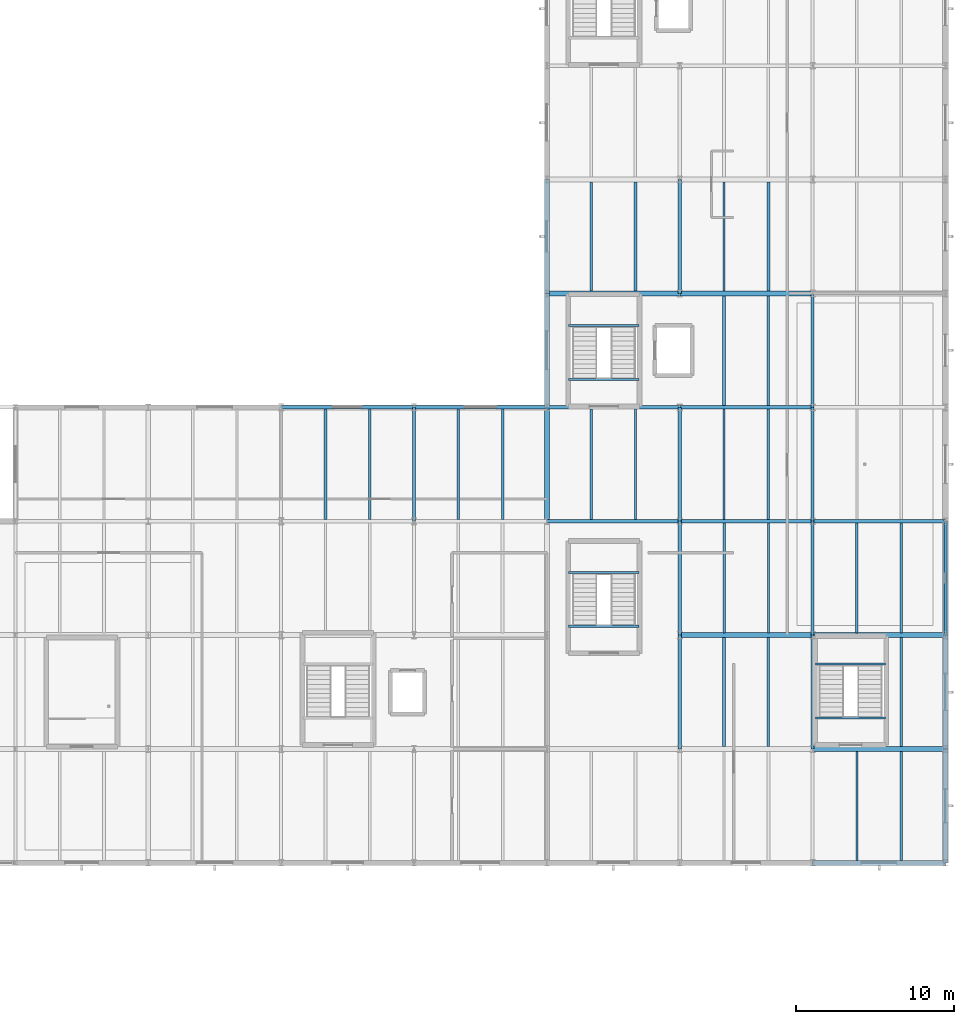
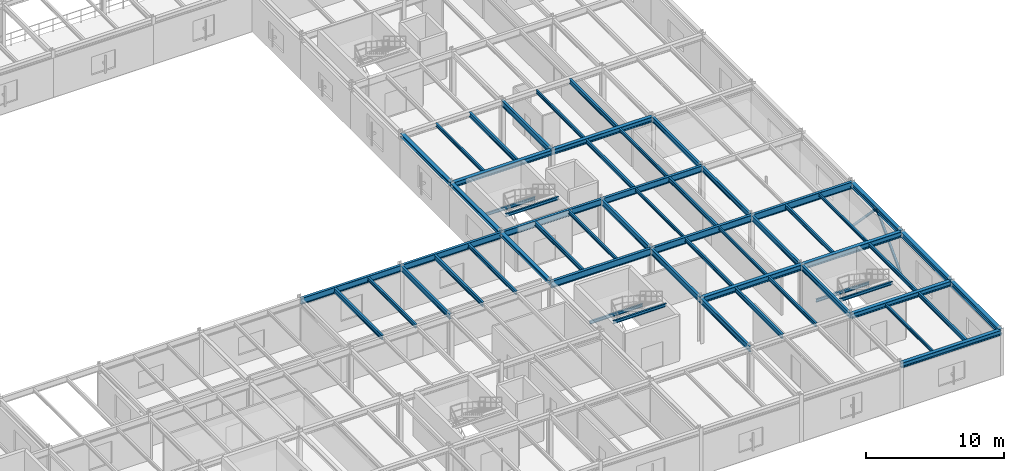
# One storey, part 42 of 109: 57 beams, 2 members.
"""IFC4 building model written with IfcOpenShell, lengths in metres."""

from ifc_helpers import new_model, si_unit, derived_unit, direction, frame, origin, origin_2d, place, context, subcontext, project, spatial, hollow_rectangle, i_section, extrude, material, material_profile, profile_set, type_object, element, save


model = new_model("IFC4")

# Units and contexts
model_context = context("Model", 3, precision=1e-05, world=origin(), true_north=direction((0.0, 1.0)))
body_context = subcontext(model_context, "Body", "Model", "MODEL_VIEW")
ifc_project = project(units=[si_unit("LENGTHUNIT", "METRE"), si_unit("AREAUNIT", "SQUARE_METRE"), si_unit("VOLUMEUNIT", "CUBIC_METRE"), si_unit("PLANEANGLEUNIT", "RADIAN"), si_unit("MASSUNIT", "GRAM", prefix="KILO"), derived_unit("THERMALTRANSMITTANCEUNIT", [(si_unit("MASSUNIT", "GRAM", prefix="KILO"), 1), (si_unit("TIMEUNIT", "SECOND"), -3), (si_unit("THERMODYNAMICTEMPERATUREUNIT", "KELVIN"), -1)])], contexts=[model_context])

# Site, building, storey
site_placement = place(None, origin())
site = spatial("IfcSite", under=ifc_project, at=site_placement, CompositionType="ELEMENT")
building_placement = place(site_placement, origin())
building = spatial("IfcBuilding", under=site, at=building_placement, Name="Kharveza Railside Sports Centre", CompositionType="ELEMENT")
storey_placement = place(building_placement, frame((0.0, 0.0, 4.5)))
storey = spatial("IfcBuildingStorey", under=building, at=storey_placement, Name="L01", CompositionType="ELEMENT", Elevation=4.5)

# Beams
ifc_material = material(Name="Steel S355J2", Category="steel")
ifc_material_profile_1 = material_profile(ifc_material, i_section(OverallWidth=0.219970703125, OverallDepth=0.60009765625, WebThickness=0.011962890625, FlangeThickness=0.01904296875, FilletRadius=0.02392578125, at=origin_2d()), Name="IPE 600")
ifc_profile_set_1 = profile_set([ifc_material_profile_1], Name="Steel S355J2")
beam_type_1 = type_object("IfcBeamType", Name="BM-G01", PredefinedType="T_BEAM", material=ifc_profile_set_1)
beam_1_placement = place(storey_placement, frame((142.800048828125, 28.800048828125, 3.699951171875), z_axis=(1.0, 0.0, 0.0), x_axis=(0.0, 1.0, 0.0)))
element("IfcBeam", 1, at=beam_1_placement, inside=storey, type_object=beam_type_1, Name="BM-EW-L01-B01-X1428-Y288", PredefinedType="T_BEAM", context=body_context, shape_type="SweptSolid", body=[
    extrude(i_section(OverallWidth=0.219970703125, OverallDepth=0.60009765625, WebThickness=0.011962890625, FlangeThickness=0.01904296875, FilletRadius=0.02392578125, at=origin_2d()), origin(), (0.0, 0.0, 1.0), 8.39990234375),
])
beam_2_placement = place(storey_placement, frame((151.199951171875, 28.800048828125, 3.699951171875), z_axis=(1.0, 0.0, 0.0), x_axis=(0.0, 1.0, 0.0)))
element("IfcBeam", 2, at=beam_2_placement, inside=storey, type_object=beam_type_1, Name="BM-EW-L01-B01-X1512-Y288", PredefinedType="T_BEAM", context=body_context, shape_type="SweptSolid", body=[
    extrude(i_section(OverallWidth=0.219970703125, OverallDepth=0.60009765625, WebThickness=0.011962890625, FlangeThickness=0.01904296875, FilletRadius=0.02392578125, at=origin_2d()), origin(), (0.0, 0.0, 1.0), 8.400146484375),
])
beam_3_placement = place(storey_placement, frame((159.60009765625, 28.800048828125, 3.699951171875), z_axis=(1.0, 0.0, 0.0), x_axis=(0.0, 1.0, 0.0)))
element("IfcBeam", 3, at=beam_3_placement, inside=storey, type_object=beam_type_1, Name="BM-EW-L01-B01-X1596-Y288", PredefinedType="T_BEAM", context=body_context, shape_type="SweptSolid", body=[
    extrude(i_section(OverallWidth=0.219970703125, OverallDepth=0.60009765625, WebThickness=0.011962890625, FlangeThickness=0.01904296875, FilletRadius=0.02392578125, at=origin_2d()), origin(), (0.0, 0.0, 1.0), 8.39990234375),
])
ifc_material_profile_2 = material_profile(ifc_material, i_section(OverallWidth=0.2099609375, OverallDepth=0.550048828125, WebThickness=0.010986328125, FlangeThickness=0.01708984375, FilletRadius=0.02392578125, at=origin_2d()), Name="IPE 550")
ifc_profile_set_2 = profile_set([ifc_material_profile_2], Name="Steel S355J2")
beam_type_2 = type_object("IfcBeamType", Name="BM-G02", PredefinedType="T_BEAM", material=ifc_profile_set_2)
beam_4_placement = place(storey_placement, frame((126.0, 36.0, 3.72509765625), z_axis=(1.0, 0.0, 0.0), x_axis=(0.0, 1.0, 0.0)))
element("IfcBeam", 4, at=beam_4_placement, inside=storey, type_object=beam_type_2, Name="BM-EW-L01-B02-X1260-Y360", PredefinedType="T_BEAM", context=body_context, shape_type="SweptSolid", body=[
    extrude(i_section(OverallWidth=0.2099609375, OverallDepth=0.550048828125, WebThickness=0.010986328125, FlangeThickness=0.01708984375, FilletRadius=0.02392578125, at=origin_2d()), origin(), (0.0, 0.0, 1.0), 8.39990234375),
])
beam_5_placement = place(storey_placement, frame((134.39990234375, 36.0, 3.72509765625), z_axis=(1.0, 0.0, 0.0), x_axis=(0.0, 1.0, 0.0)))
element("IfcBeam", 5, at=beam_5_placement, inside=storey, type_object=beam_type_2, Name="BM-EW-L01-B02-X1344-Y360", PredefinedType="T_BEAM", context=body_context, shape_type="SweptSolid", body=[
    extrude(i_section(OverallWidth=0.2099609375, OverallDepth=0.550048828125, WebThickness=0.010986328125, FlangeThickness=0.01708984375, FilletRadius=0.02392578125, at=origin_2d()), origin(), (0.0, 0.0, 1.0), 8.400146484375),
])
beam_6_placement = place(storey_placement, frame((142.800048828125, 36.0, 3.72509765625), z_axis=(1.0, 0.0, 0.0), x_axis=(0.0, 1.0, 0.0)))
element("IfcBeam", 6, at=beam_6_placement, inside=storey, type_object=beam_type_2, Name="BM-EW-L01-B02-X1428-Y360", PredefinedType="T_BEAM", context=body_context, shape_type="SweptSolid", body=[
    extrude(i_section(OverallWidth=0.2099609375, OverallDepth=0.550048828125, WebThickness=0.010986328125, FlangeThickness=0.01708984375, FilletRadius=0.02392578125, at=origin_2d()), origin(), (0.0, 0.0, 1.0), 8.39990234375),
])
beam_7_placement = place(storey_placement, frame((151.199951171875, 36.0, 3.72509765625), z_axis=(1.0, 0.0, 0.0), x_axis=(0.0, 1.0, 0.0)))
element("IfcBeam", 7, at=beam_7_placement, inside=storey, type_object=beam_type_2, Name="BM-EW-L01-B02-X1512-Y360", PredefinedType="T_BEAM", context=body_context, shape_type="SweptSolid", body=[
    extrude(i_section(OverallWidth=0.2099609375, OverallDepth=0.550048828125, WebThickness=0.010986328125, FlangeThickness=0.01708984375, FilletRadius=0.02392578125, at=origin_2d()), origin(), (0.0, 0.0, 1.0), 8.400146484375),
])
ifc_material_profile_3 = material_profile(ifc_material, i_section(OverallWidth=0.199951171875, OverallDepth=0.5, WebThickness=0.01025390625, FlangeThickness=0.01611328125, FilletRadius=0.02099609375, at=origin_2d()), Name="IPE 500")
ifc_profile_set_3 = profile_set([ifc_material_profile_3], Name="Steel S355J2")
beam_type_3 = type_object("IfcBeamType", Name="BM-G03", PredefinedType="T_BEAM", material=ifc_profile_set_3)
beam_8_placement = place(storey_placement, frame((151.199951171875, 14.39990234375, 3.75), z_axis=(0.0, 1.0, 0.0), x_axis=(-1.0, 0.0, 0.0)))
element("IfcBeam", 8, at=beam_8_placement, inside=storey, type_object=beam_type_3, Name="BM-NS-L01-B03-X1512-Y144", PredefinedType="T_BEAM", context=body_context, shape_type="SweptSolid", body=[
    extrude(i_section(OverallWidth=0.199951171875, OverallDepth=0.5, WebThickness=0.01025390625, FlangeThickness=0.01611328125, FilletRadius=0.02099609375, at=origin_2d()), origin(), (0.0, 0.0, 1.0), 7.2001953125),
])
for number, where, z_axis, x_axis, name in (
    (9, (151.199951171875, 21.60009765625, 3.75), (0.0, 1.0, 0.0), (-1.0, 0.0, 0.0), "BM-NS-L01-B03-X1512-Y216"),
    (10, (151.199951171875, 28.800048828125, 3.75), (0.0, 1.0, 0.0), (-1.0, 0.0, 0.0), "BM-NS-L01-B03-X1512-Y288"),
    (11, (151.199951171875, 43.199951171875, 3.75), (0.0, 1.0, 0.0), (-1.0, 0.0, 0.0), "BM-NS-L01-B03-X1512-Y432"),
):
    element("IfcBeam", number, at=place(storey_placement, frame(where, z_axis=z_axis, x_axis=x_axis)), inside=storey, type_object=beam_type_3, Name=name, PredefinedType="T_BEAM", context=body_context, shape_type="SweptSolid", body=[
        extrude(i_section(OverallWidth=0.199951171875, OverallDepth=0.5, WebThickness=0.01025390625, FlangeThickness=0.01611328125, FilletRadius=0.02099609375, at=origin_2d()), origin(), (0.0, 0.0, 1.0), 7.199951171875),
    ])
ifc_material_profile_4 = material_profile(ifc_material, i_section(OverallWidth=0.18994140625, OverallDepth=0.449951171875, WebThickness=0.009521484375, FlangeThickness=0.0146484375, FilletRadius=0.02099609375, at=origin_2d()), Name="IPE 450")
ifc_profile_set_4 = profile_set([ifc_material_profile_4], Name="Steel S355J2")
beam_type_4 = type_object("IfcBeamType", Name="BM-G04", PredefinedType="T_BEAM", material=ifc_profile_set_4)
beam_9_placement = place(storey_placement, frame((134.39990234375, 28.800048828125, 3.77490234375), z_axis=(0.0, 1.0, 0.0), x_axis=(-1.0, 0.0, 0.0)))
element("IfcBeam", 12, at=beam_9_placement, inside=storey, type_object=beam_type_4, Name="BM-NS-L01-B04-X1344-Y288", PredefinedType="T_BEAM", context=body_context, shape_type="SweptSolid", body=[
    extrude(i_section(OverallWidth=0.18994140625, OverallDepth=0.449951171875, WebThickness=0.009521484375, FlangeThickness=0.0146484375, FilletRadius=0.02099609375, at=origin_2d()), origin(), (0.0, 0.0, 1.0), 7.199951171875),
])
beam_10_placement = place(storey_placement, frame((159.60009765625, 14.39990234375, 3.77490234375), z_axis=(0.0, 1.0, 0.0), x_axis=(-1.0, 0.0, 0.0)))
element("IfcBeam", 13, at=beam_10_placement, inside=storey, type_object=beam_type_4, Name="BM-NS-L01-B04-X1596-Y144", PredefinedType="T_BEAM", context=body_context, shape_type="SweptSolid", body=[
    extrude(i_section(OverallWidth=0.18994140625, OverallDepth=0.449951171875, WebThickness=0.009521484375, FlangeThickness=0.0146484375, FilletRadius=0.02099609375, at=origin_2d()), origin(), (0.0, 0.0, 1.0), 7.2001953125),
])
for number, where, z_axis, x_axis, name in (
    (14, (159.60009765625, 21.60009765625, 3.77490234375), (0.0, 1.0, 0.0), (-1.0, 0.0, 0.0), "BM-NS-L01-B04-X1596-Y216"),
    (15, (159.60009765625, 28.800048828125, 3.77490234375), (0.0, 1.0, 0.0), (-1.0, 0.0, 0.0), "BM-NS-L01-B04-X1596-Y288"),
    (16, (159.60009765625, 36.0, 3.77490234375), (0.0, 1.0, 0.0), (-1.0, 0.0, 0.0), "BM-NS-L01-B04-X1596-Y360"),
):
    element("IfcBeam", number, at=place(storey_placement, frame(where, z_axis=z_axis, x_axis=x_axis)), inside=storey, type_object=beam_type_4, Name=name, PredefinedType="T_BEAM", context=body_context, shape_type="SweptSolid", body=[
        extrude(i_section(OverallWidth=0.18994140625, OverallDepth=0.449951171875, WebThickness=0.009521484375, FlangeThickness=0.0146484375, FilletRadius=0.02099609375, at=origin_2d()), origin(), (0.0, 0.0, 1.0), 7.199951171875),
    ])
ifc_material_profile_5 = material_profile(ifc_material, i_section(OverallWidth=0.300048828125, OverallDepth=0.5, WebThickness=0.014404296875, FlangeThickness=0.028076171875, FilletRadius=0.027099609375, at=origin_2d()), Name="HEB 500")
ifc_profile_set_5 = profile_set([ifc_material_profile_5], Name="Steel S355J2")
beam_type_5 = type_object("IfcBeamType", Name="BM-G05", PredefinedType="T_BEAM", material=ifc_profile_set_5)
beam_11_placement = place(storey_placement, frame((151.199951171875, 21.60009765625, 3.75), z_axis=(1.0, 0.0, 0.0), x_axis=(0.0, 1.0, 0.0)))
element("IfcBeam", 17, at=beam_11_placement, inside=storey, type_object=beam_type_5, Name="BM-EW-L01-B05-X1512-Y216", PredefinedType="T_BEAM", context=body_context, shape_type="SweptSolid", body=[
    extrude(i_section(OverallWidth=0.300048828125, OverallDepth=0.5, WebThickness=0.014404296875, FlangeThickness=0.028076171875, FilletRadius=0.027099609375, at=origin_2d()), origin(), (0.0, 0.0, 1.0), 8.400146484375),
])
beam_12_placement = place(storey_placement, frame((159.60009765625, 21.60009765625, 3.75), z_axis=(1.0, 0.0, 0.0), x_axis=(0.0, 1.0, 0.0)))
element("IfcBeam", 18, at=beam_12_placement, inside=storey, type_object=beam_type_5, Name="BM-EW-L01-B05-X1596-Y216", PredefinedType="T_BEAM", context=body_context, shape_type="SweptSolid", body=[
    extrude(i_section(OverallWidth=0.300048828125, OverallDepth=0.5, WebThickness=0.014404296875, FlangeThickness=0.028076171875, FilletRadius=0.027099609375, at=origin_2d()), origin(), (0.0, 0.0, 1.0), 8.39990234375),
])
ifc_material_profile_6 = material_profile(ifc_material, i_section(OverallWidth=0.300048828125, OverallDepth=0.449951171875, WebThickness=0.013916015625, FlangeThickness=0.02587890625, FilletRadius=0.027099609375, at=origin_2d()), Name="HEB 450")
ifc_profile_set_6 = profile_set([ifc_material_profile_6], Name="Steel S355J2")
beam_type_6 = type_object("IfcBeamType", Name="BM-G06", PredefinedType="T_BEAM", material=ifc_profile_set_6)
beam_13_placement = place(storey_placement, frame((142.800048828125, 43.199951171875, 3.77490234375), z_axis=(1.0, 0.0, 0.0), x_axis=(0.0, 1.0, 0.0)))
element("IfcBeam", 19, at=beam_13_placement, inside=storey, type_object=beam_type_6, Name="BM-EW-L01-B06-X1428-Y432", PredefinedType="T_BEAM", context=body_context, shape_type="SweptSolid", body=[
    extrude(i_section(OverallWidth=0.300048828125, OverallDepth=0.449951171875, WebThickness=0.013916015625, FlangeThickness=0.02587890625, FilletRadius=0.027099609375, at=origin_2d()), origin(), (0.0, 0.0, 1.0), 8.39990234375),
])
beam_14_placement = place(storey_placement, frame((151.199951171875, 43.199951171875, 3.77490234375), z_axis=(1.0, 0.0, 0.0), x_axis=(0.0, 1.0, 0.0)))
element("IfcBeam", 20, at=beam_14_placement, inside=storey, type_object=beam_type_6, Name="BM-EW-L01-B06-X1512-Y432", PredefinedType="T_BEAM", context=body_context, shape_type="SweptSolid", body=[
    extrude(i_section(OverallWidth=0.300048828125, OverallDepth=0.449951171875, WebThickness=0.013916015625, FlangeThickness=0.02587890625, FilletRadius=0.027099609375, at=origin_2d()), origin(), (0.0, 0.0, 1.0), 8.400146484375),
])
beam_15_placement = place(storey_placement, frame((159.60009765625, 14.39990234375, 3.77490234375), z_axis=(1.0, 0.0, 0.0), x_axis=(0.0, 1.0, 0.0)))
element("IfcBeam", 21, at=beam_15_placement, inside=storey, type_object=beam_type_6, Name="BM-EW-L01-B06-X1596-Y144", PredefinedType="T_BEAM", context=body_context, shape_type="SweptSolid", body=[
    extrude(i_section(OverallWidth=0.300048828125, OverallDepth=0.449951171875, WebThickness=0.013916015625, FlangeThickness=0.02587890625, FilletRadius=0.027099609375, at=origin_2d()), origin(), (0.0, 0.0, 1.0), 8.39990234375),
])
ifc_material_profile_7 = material_profile(ifc_material, i_section(OverallWidth=0.179931640625, OverallDepth=0.39990234375, WebThickness=0.008544921875, FlangeThickness=0.013427734375, FilletRadius=0.02099609375, at=origin_2d()), Name="IPE 400")
ifc_profile_set_7 = profile_set([ifc_material_profile_7], Name="Steel S355J2")
beam_type_7 = type_object("IfcBeamType", Name="BM-S01", PredefinedType="BEAM", material=ifc_profile_set_7)
for number, where, z_axis, x_axis, name in (
    (22, (128.800048828125, 28.906982421875, 3.800048828125), (0.0, 1.0, 0.0), (-1.0, 0.0, 0.0), "BM-SEC-L01-B09-X1288-Y288"),
    (23, (137.199951171875, 28.906982421875, 3.800048828125), (0.0, 1.0, 0.0), (-1.0, 0.0, 0.0), "BM-SEC-L01-B09-X1372-Y288"),
):
    element("IfcBeam", number, at=place(storey_placement, frame(where, z_axis=z_axis, x_axis=x_axis)), inside=storey, type_object=beam_type_7, Name=name, PredefinedType="BEAM", context=body_context, shape_type="SweptSolid", body=[
        extrude(i_section(OverallWidth=0.179931640625, OverallDepth=0.39990234375, WebThickness=0.008544921875, FlangeThickness=0.013427734375, FilletRadius=0.02099609375, at=origin_2d()), origin(), (0.0, 0.0, 1.0), 6.990966796875),
    ])
beam_16_placement = place(storey_placement, frame((148.39990234375, 43.346923828125, 3.800048828125), z_axis=(0.0, 1.0, 0.0), x_axis=(-1.0, 0.0, 0.0)))
element("IfcBeam", 24, at=beam_16_placement, inside=storey, type_object=beam_type_7, Name="BM-SEC-L01-B09-X1484-Y432", PredefinedType="BEAM", context=body_context, shape_type="SweptSolid", body=[
    extrude(i_section(OverallWidth=0.179931640625, OverallDepth=0.39990234375, WebThickness=0.008544921875, FlangeThickness=0.013427734375, FilletRadius=0.02099609375, at=origin_2d()), origin(), (0.0, 0.0, 1.0), 6.906005859375),
])
beam_17_placement = place(storey_placement, frame((154.0, 14.547119140625, 3.800048828125), z_axis=(0.0, 1.0, 0.0), x_axis=(-1.0, 0.0, 0.0)))
element("IfcBeam", 25, at=beam_17_placement, inside=storey, type_object=beam_type_7, Name="BM-SEC-L01-B09-X1540-Y144", PredefinedType="BEAM", context=body_context, shape_type="SweptSolid", body=[
    extrude(i_section(OverallWidth=0.179931640625, OverallDepth=0.39990234375, WebThickness=0.008544921875, FlangeThickness=0.013427734375, FilletRadius=0.02099609375, at=origin_2d()), origin(), (0.0, 0.0, 1.0), 6.90576171875),
])
beam_18_placement = place(storey_placement, frame((156.800048828125, 43.346923828125, 3.800048828125), z_axis=(0.0, 1.0, 0.0), x_axis=(-1.0, 0.0, 0.0)))
element("IfcBeam", 26, at=beam_18_placement, inside=storey, type_object=beam_type_7, Name="BM-SEC-L01-B09-X1568-Y432", PredefinedType="BEAM", context=body_context, shape_type="SweptSolid", body=[
    extrude(i_section(OverallWidth=0.179931640625, OverallDepth=0.39990234375, WebThickness=0.008544921875, FlangeThickness=0.013427734375, FilletRadius=0.02099609375, at=origin_2d()), origin(), (0.0, 0.0, 1.0), 6.906005859375),
])
ifc_material_profile_8 = material_profile(ifc_material, i_section(OverallWidth=0.169921875, OverallDepth=0.360107421875, WebThickness=0.008056640625, FlangeThickness=0.0126953125, FilletRadius=0.01806640625, at=origin_2d()), Name="IPE 360")
ifc_profile_set_8 = profile_set([ifc_material_profile_8], Name="Steel S355J2")
beam_type_8 = type_object("IfcBeamType", Name="BM-S02", PredefinedType="BEAM", material=ifc_profile_set_8)
for number, where, z_axis, x_axis, name in (
    (27, (145.60009765625, 28.906982421875, 3.820068359375), (0.0, 1.0, 0.0), (-1.0, 0.0, 0.0), "BM-SEC-L01-B10-X1456-Y288"),
    (28, (156.800048828125, 28.906982421875, 3.820068359375), (0.0, 1.0, 0.0), (-1.0, 0.0, 0.0), "BM-SEC-L01-B10-X1568-Y288"),
):
    element("IfcBeam", number, at=place(storey_placement, frame(where, z_axis=z_axis, x_axis=x_axis)), inside=storey, type_object=beam_type_8, Name=name, PredefinedType="BEAM", context=body_context, shape_type="SweptSolid", body=[
        extrude(i_section(OverallWidth=0.169921875, OverallDepth=0.360107421875, WebThickness=0.008056640625, FlangeThickness=0.0126953125, FilletRadius=0.01806640625, at=origin_2d()), origin(), (0.0, 0.0, 1.0), 6.990966796875),
    ])
beam_19_placement = place(storey_placement, frame((154.0, 36.10205078125, 3.820068359375), z_axis=(0.0, 1.0, 0.0), x_axis=(-1.0, 0.0, 0.0)))
element("IfcBeam", 29, at=beam_19_placement, inside=storey, type_object=beam_type_8, Name="BM-SEC-L01-B10-X1540-Y360", PredefinedType="BEAM", context=body_context, shape_type="SweptSolid", body=[
    extrude(i_section(OverallWidth=0.169921875, OverallDepth=0.360107421875, WebThickness=0.008056640625, FlangeThickness=0.0126953125, FilletRadius=0.01806640625, at=origin_2d()), origin(), (0.0, 0.0, 1.0), 6.950927734375),
])
beam_20_placement = place(storey_placement, frame((165.199951171875, 7.346923828125, 3.820068359375), z_axis=(0.0, 1.0, 0.0), x_axis=(-1.0, 0.0, 0.0)))
element("IfcBeam", 30, at=beam_20_placement, inside=storey, type_object=beam_type_8, Name="BM-SEC-L01-B10-X1652-Y72", PredefinedType="BEAM", context=body_context, shape_type="SweptSolid", body=[
    extrude(i_section(OverallWidth=0.169921875, OverallDepth=0.360107421875, WebThickness=0.008056640625, FlangeThickness=0.0126953125, FilletRadius=0.01806640625, at=origin_2d()), origin(), (0.0, 0.0, 1.0), 6.906005859375),
])
ifc_material_profile_9 = material_profile(ifc_material, i_section(OverallWidth=0.159912109375, OverallDepth=0.330078125, WebThickness=0.007568359375, FlangeThickness=0.011474609375, FilletRadius=0.01806640625, at=origin_2d()), Name="IPE 330")
ifc_profile_set_9 = profile_set([ifc_material_profile_9], Name="Steel S355J2")
beam_type_9 = type_object("IfcBeamType", Name="BM-S03", PredefinedType="BEAM", material=ifc_profile_set_9)
for number, where, z_axis, x_axis, name in (
    (31, (131.60009765625, 28.906982421875, 3.8349609375), (0.0, 1.0, 0.0), (-1.0, 0.0, 0.0), "BM-SEC-L01-B11-X1316-Y288"),
    (32, (140.0, 28.906982421875, 3.8349609375), (0.0, 1.0, 0.0), (-1.0, 0.0, 0.0), "BM-SEC-L01-B11-X1400-Y288"),
):
    element("IfcBeam", number, at=place(storey_placement, frame(where, z_axis=z_axis, x_axis=x_axis)), inside=storey, type_object=beam_type_9, Name=name, PredefinedType="BEAM", context=body_context, shape_type="SweptSolid", body=[
        extrude(i_section(OverallWidth=0.159912109375, OverallDepth=0.330078125, WebThickness=0.007568359375, FlangeThickness=0.011474609375, FilletRadius=0.01806640625, at=origin_2d()), origin(), (0.0, 0.0, 1.0), 6.990966796875),
    ])
beam_21_placement = place(storey_placement, frame((156.800048828125, 14.547119140625, 3.8349609375), z_axis=(0.0, 1.0, 0.0), x_axis=(-1.0, 0.0, 0.0)))
element("IfcBeam", 33, at=beam_21_placement, inside=storey, type_object=beam_type_9, Name="BM-SEC-L01-B11-X1568-Y144", PredefinedType="BEAM", context=body_context, shape_type="SweptSolid", body=[
    extrude(i_section(OverallWidth=0.159912109375, OverallDepth=0.330078125, WebThickness=0.007568359375, FlangeThickness=0.011474609375, FilletRadius=0.01806640625, at=origin_2d()), origin(), (0.0, 0.0, 1.0), 6.90576171875),
])
beam_22_placement = place(storey_placement, frame((154.0, 21.7470703125, 3.8349609375), z_axis=(0.0, 1.0, 0.0), x_axis=(-1.0, 0.0, 0.0)))
element("IfcBeam", 34, at=beam_22_placement, inside=storey, type_object=beam_type_9, Name="BM-SEC-L01-B11-X1540-Y216", PredefinedType="BEAM", context=body_context, shape_type="SweptSolid", body=[
    extrude(i_section(OverallWidth=0.159912109375, OverallDepth=0.330078125, WebThickness=0.007568359375, FlangeThickness=0.011474609375, FilletRadius=0.01806640625, at=origin_2d()), origin(), (0.0, 0.0, 1.0), 6.946044921875),
])
beam_23_placement = place(storey_placement, frame((165.199951171875, 14.547119140625, 3.8349609375), z_axis=(0.0, 1.0, 0.0), x_axis=(-1.0, 0.0, 0.0)))
element("IfcBeam", 35, at=beam_23_placement, inside=storey, type_object=beam_type_9, Name="BM-SEC-L01-B11-X1652-Y144", PredefinedType="BEAM", context=body_context, shape_type="SweptSolid", body=[
    extrude(i_section(OverallWidth=0.159912109375, OverallDepth=0.330078125, WebThickness=0.007568359375, FlangeThickness=0.011474609375, FilletRadius=0.01806640625, at=origin_2d()), origin(), (0.0, 0.0, 1.0), 6.90576171875),
])
beam_24_placement = place(storey_placement, frame((162.39990234375, 21.7470703125, 3.8349609375), z_axis=(0.0, 1.0, 0.0), x_axis=(-1.0, 0.0, 0.0)))
element("IfcBeam", 36, at=beam_24_placement, inside=storey, type_object=beam_type_9, Name="BM-SEC-L01-B11-X1624-Y216", PredefinedType="BEAM", context=body_context, shape_type="SweptSolid", body=[
    extrude(i_section(OverallWidth=0.159912109375, OverallDepth=0.330078125, WebThickness=0.007568359375, FlangeThickness=0.011474609375, FilletRadius=0.01806640625, at=origin_2d()), origin(), (0.0, 0.0, 1.0), 6.946044921875),
])
ifc_material_profile_10 = material_profile(ifc_material, i_section(OverallWidth=0.14990234375, OverallDepth=0.300048828125, WebThickness=0.007080078125, FlangeThickness=0.0107421875, FilletRadius=0.014892578125, at=origin_2d()), Name="IPE 300")
ifc_profile_set_10 = profile_set([ifc_material_profile_10], Name="Steel S355J2")
beam_type_10 = type_object("IfcBeamType", Name="BM-S04", PredefinedType="BEAM", material=ifc_profile_set_10)
beam_25_placement = place(storey_placement, frame((148.39990234375, 28.906982421875, 3.85009765625), z_axis=(0.0, 1.0, 0.0), x_axis=(-1.0, 0.0, 0.0)))
element("IfcBeam", 37, at=beam_25_placement, inside=storey, type_object=beam_type_10, Name="BM-SEC-L01-B12-X1484-Y288", PredefinedType="BEAM", context=body_context, shape_type="SweptSolid", body=[
    extrude(i_section(OverallWidth=0.14990234375, OverallDepth=0.300048828125, WebThickness=0.007080078125, FlangeThickness=0.0107421875, FilletRadius=0.014892578125, at=origin_2d()), origin(), (0.0, 0.0, 1.0), 6.990966796875),
])
beam_26_placement = place(storey_placement, frame((145.60009765625, 43.346923828125, 3.85009765625), z_axis=(0.0, 1.0, 0.0), x_axis=(-1.0, 0.0, 0.0)))
element("IfcBeam", 38, at=beam_26_placement, inside=storey, type_object=beam_type_10, Name="BM-SEC-L01-B12-X1456-Y432", PredefinedType="BEAM", context=body_context, shape_type="SweptSolid", body=[
    extrude(i_section(OverallWidth=0.14990234375, OverallDepth=0.300048828125, WebThickness=0.007080078125, FlangeThickness=0.0107421875, FilletRadius=0.014892578125, at=origin_2d()), origin(), (0.0, 0.0, 1.0), 6.906005859375),
])
beam_27_placement = place(storey_placement, frame((156.800048828125, 36.10205078125, 3.85009765625), z_axis=(0.0, 1.0, 0.0), x_axis=(-1.0, 0.0, 0.0)))
element("IfcBeam", 39, at=beam_27_placement, inside=storey, type_object=beam_type_10, Name="BM-SEC-L01-B12-X1568-Y360", PredefinedType="BEAM", context=body_context, shape_type="SweptSolid", body=[
    extrude(i_section(OverallWidth=0.14990234375, OverallDepth=0.300048828125, WebThickness=0.007080078125, FlangeThickness=0.0107421875, FilletRadius=0.014892578125, at=origin_2d()), origin(), (0.0, 0.0, 1.0), 6.950927734375),
])
beam_28_placement = place(storey_placement, frame((154.0, 43.346923828125, 3.85009765625), z_axis=(0.0, 1.0, 0.0), x_axis=(-1.0, 0.0, 0.0)))
element("IfcBeam", 40, at=beam_28_placement, inside=storey, type_object=beam_type_10, Name="BM-SEC-L01-B12-X1540-Y432", PredefinedType="BEAM", context=body_context, shape_type="SweptSolid", body=[
    extrude(i_section(OverallWidth=0.14990234375, OverallDepth=0.300048828125, WebThickness=0.007080078125, FlangeThickness=0.0107421875, FilletRadius=0.014892578125, at=origin_2d()), origin(), (0.0, 0.0, 1.0), 6.906005859375),
])
ifc_material_profile_11 = material_profile(ifc_material, i_section(OverallWidth=0.135009765625, OverallDepth=0.27001953125, WebThickness=0.006591796875, FlangeThickness=0.01025390625, FilletRadius=0.014892578125, at=origin_2d()), Name="IPE 270")
ifc_profile_set_11 = profile_set([ifc_material_profile_11], Name="Steel S355J2")
beam_type_11 = type_object("IfcBeamType", Name="BM-S05", PredefinedType="BEAM", material=ifc_profile_set_11)
beam_29_placement = place(storey_placement, frame((156.800048828125, 21.7470703125, 3.864990234375), z_axis=(0.0, 1.0, 0.0), x_axis=(-1.0, 0.0, 0.0)))
element("IfcBeam", 41, at=beam_29_placement, inside=storey, type_object=beam_type_11, Name="BM-SEC-L01-B13-X1568-Y216", PredefinedType="BEAM", context=body_context, shape_type="SweptSolid", body=[
    extrude(i_section(OverallWidth=0.135009765625, OverallDepth=0.27001953125, WebThickness=0.006591796875, FlangeThickness=0.01025390625, FilletRadius=0.014892578125, at=origin_2d()), origin(), (0.0, 0.0, 1.0), 6.946044921875),
])
beam_30_placement = place(storey_placement, frame((154.0, 28.906982421875, 3.864990234375), z_axis=(0.0, 1.0, 0.0), x_axis=(-1.0, 0.0, 0.0)))
element("IfcBeam", 42, at=beam_30_placement, inside=storey, type_object=beam_type_11, Name="BM-SEC-L01-B13-X1540-Y288", PredefinedType="BEAM", context=body_context, shape_type="SweptSolid", body=[
    extrude(i_section(OverallWidth=0.135009765625, OverallDepth=0.27001953125, WebThickness=0.006591796875, FlangeThickness=0.01025390625, FilletRadius=0.014892578125, at=origin_2d()), origin(), (0.0, 0.0, 1.0), 6.990966796875),
])
beam_31_placement = place(storey_placement, frame((162.39990234375, 7.346923828125, 3.864990234375), z_axis=(0.0, 1.0, 0.0), x_axis=(-1.0, 0.0, 0.0)))
element("IfcBeam", 43, at=beam_31_placement, inside=storey, type_object=beam_type_11, Name="BM-SEC-L01-B13-X1624-Y72", PredefinedType="BEAM", context=body_context, shape_type="SweptSolid", body=[
    extrude(i_section(OverallWidth=0.135009765625, OverallDepth=0.27001953125, WebThickness=0.006591796875, FlangeThickness=0.01025390625, FilletRadius=0.014892578125, at=origin_2d()), origin(), (0.0, 0.0, 1.0), 6.906005859375),
])
beam_32_placement = place(storey_placement, frame((165.199951171875, 21.7470703125, 3.864990234375), z_axis=(0.0, 1.0, 0.0), x_axis=(-1.0, 0.0, 0.0)))
element("IfcBeam", 44, at=beam_32_placement, inside=storey, type_object=beam_type_11, Name="BM-SEC-L01-B13-X1652-Y216", PredefinedType="BEAM", context=body_context, shape_type="SweptSolid", body=[
    extrude(i_section(OverallWidth=0.135009765625, OverallDepth=0.27001953125, WebThickness=0.006591796875, FlangeThickness=0.01025390625, FilletRadius=0.014892578125, at=origin_2d()), origin(), (0.0, 0.0, 1.0), 6.946044921875),
])
for number, where, z_axis, x_axis, name in (
    (45, (144.179931640625, 41.169921875, 1.780029296875), (1.0, 0.0, 0.0), (0.0, 1.0, 0.0), "BM-HLND-ST1-L01"),
    (46, (144.179931640625, 37.760009765625, 3.8798828125), (1.0, 0.0, 0.0), (0.0, 1.0, 0.0), "BM-STLND-ST1-L02"),
    (47, (144.179931640625, 25.570068359375, 1.780029296875), (1.0, 0.0, 0.0), (0.0, 1.0, 0.0), "BM-HLND-ST5-L01"),
    (48, (144.179931640625, 22.159912109375, 3.8798828125), (1.0, 0.0, 0.0), (0.0, 1.0, 0.0), "BM-STLND-ST5-L02"),
):
    element("IfcBeam", number, at=place(storey_placement, frame(where, z_axis=z_axis, x_axis=x_axis)), inside=storey, type_object=beam_type_11, Name=name, PredefinedType="BEAM", context=body_context, shape_type="SweptSolid", body=[
        extrude(i_section(OverallWidth=0.135009765625, OverallDepth=0.27001953125, WebThickness=0.006591796875, FlangeThickness=0.01025390625, FilletRadius=0.014892578125, at=origin_2d()), origin(), (0.0, 0.0, 1.0), 4.440185546875),
    ])
for number, where, z_axis, x_axis, name in (
    (49, (159.780029296875, 19.77001953125, 1.780029296875), (1.0, 0.0, 0.0), (0.0, 1.0, 0.0), "BM-HLND-ST11-L01"),
    (50, (159.780029296875, 16.360107421875, 3.8798828125), (1.0, 0.0, 0.0), (0.0, 1.0, 0.0), "BM-STLND-ST11-L02"),
):
    element("IfcBeam", number, at=place(storey_placement, frame(where, z_axis=z_axis, x_axis=x_axis)), inside=storey, type_object=beam_type_11, Name=name, PredefinedType="BEAM", context=body_context, shape_type="SweptSolid", body=[
        extrude(i_section(OverallWidth=0.135009765625, OverallDepth=0.27001953125, WebThickness=0.006591796875, FlangeThickness=0.01025390625, FilletRadius=0.014892578125, at=origin_2d()), origin(), (0.0, 0.0, 1.0), 4.43994140625),
    ])
ifc_material_profile_12 = material_profile(ifc_material, i_section(OverallWidth=0.300048828125, OverallDepth=0.31005859375, WebThickness=0.009033203125, FlangeThickness=0.015380859375, FilletRadius=0.027099609375, at=origin_2d()), Name="HEA 320")
ifc_profile_set_12 = profile_set([ifc_material_profile_12], Name="Steel S355J2")
beam_type_12 = type_object("IfcBeamType", Name="BM-S06", PredefinedType="BEAM", material=ifc_profile_set_12)
for number, where, z_axis, x_axis, name in (
    (51, (142.800048828125, 28.800048828125, 3.844970703125), (0.0, 1.0, 0.0), (-1.0, 0.0, 0.0), "BM-NS-L01-B14-X1428-Y288"),
    (52, (142.800048828125, 36.0, 3.844970703125), (0.0, 1.0, 0.0), (-1.0, 0.0, 0.0), "BM-NS-L01-B14-X1428-Y360"),
    (53, (142.800048828125, 43.199951171875, 3.844970703125), (0.0, 1.0, 0.0), (-1.0, 0.0, 0.0), "BM-NS-L01-B14-X1428-Y432"),
):
    element("IfcBeam", number, at=place(storey_placement, frame(where, z_axis=z_axis, x_axis=x_axis)), inside=storey, type_object=beam_type_12, Name=name, PredefinedType="BEAM", context=body_context, shape_type="SweptSolid", body=[
        extrude(i_section(OverallWidth=0.300048828125, OverallDepth=0.31005859375, WebThickness=0.009033203125, FlangeThickness=0.015380859375, FilletRadius=0.027099609375, at=origin_2d()), origin(), (0.0, 0.0, 1.0), 7.199951171875),
    ])
ifc_material_profile_13 = material_profile(ifc_material, i_section(OverallWidth=0.300048828125, OverallDepth=0.43994140625, WebThickness=0.011474609375, FlangeThickness=0.02099609375, FilletRadius=0.027099609375, at=origin_2d()), Name="HEA 450")
ifc_profile_set_13 = profile_set([ifc_material_profile_13], Name="Steel S355J2")
beam_type_13 = type_object("IfcBeamType", Name="BM-SP01", PredefinedType="SPANDREL", material=ifc_profile_set_13)
beam_33_placement = place(storey_placement, frame((159.60009765625, 7.199951171875, 3.780029296875), z_axis=(1.0, 0.0, 0.0), x_axis=(0.0, 1.0, 0.0)))
element("IfcBeam", 54, at=beam_33_placement, inside=storey, type_object=beam_type_13, Name="BM-EW-L01-B15-X1596-Y72", PredefinedType="SPANDREL", context=body_context, shape_type="SweptSolid", body=[
    extrude(i_section(OverallWidth=0.300048828125, OverallDepth=0.43994140625, WebThickness=0.011474609375, FlangeThickness=0.02099609375, FilletRadius=0.027099609375, at=origin_2d()), origin(), (0.0, 0.0, 1.0), 8.39990234375),
])
beam_34_placement = place(storey_placement, frame((168.0, 7.199951171875, 3.780029296875), z_axis=(0.0, 1.0, 0.0), x_axis=(-1.0, 0.0, 0.0)))
element("IfcBeam", 55, at=beam_34_placement, inside=storey, type_object=beam_type_13, Name="BM-NS-L01-B15-X1680-Y72", PredefinedType="SPANDREL", context=body_context, shape_type="SweptSolid", body=[
    extrude(i_section(OverallWidth=0.300048828125, OverallDepth=0.43994140625, WebThickness=0.011474609375, FlangeThickness=0.02099609375, FilletRadius=0.027099609375, at=origin_2d()), origin(), (0.0, 0.0, 1.0), 7.199951171875),
])
beam_35_placement = place(storey_placement, frame((168.0, 14.39990234375, 3.780029296875), z_axis=(0.0, 1.0, 0.0), x_axis=(-1.0, 0.0, 0.0)))
element("IfcBeam", 56, at=beam_35_placement, inside=storey, type_object=beam_type_13, Name="BM-NS-L01-B15-X1680-Y144", PredefinedType="SPANDREL", context=body_context, shape_type="SweptSolid", body=[
    extrude(i_section(OverallWidth=0.300048828125, OverallDepth=0.43994140625, WebThickness=0.011474609375, FlangeThickness=0.02099609375, FilletRadius=0.027099609375, at=origin_2d()), origin(), (0.0, 0.0, 1.0), 7.2001953125),
])
beam_36_placement = place(storey_placement, frame((168.0, 21.60009765625, 3.780029296875), z_axis=(0.0, 1.0, 0.0), x_axis=(-1.0, 0.0, 0.0)))
element("IfcBeam", 57, at=beam_36_placement, inside=storey, type_object=beam_type_13, Name="BM-NS-L01-B15-X1680-Y216", PredefinedType="SPANDREL", context=body_context, shape_type="SweptSolid", body=[
    extrude(i_section(OverallWidth=0.300048828125, OverallDepth=0.43994140625, WebThickness=0.011474609375, FlangeThickness=0.02099609375, FilletRadius=0.027099609375, at=origin_2d()), origin(), (0.0, 0.0, 1.0), 7.199951171875),
])

# Members
ifc_material_profile_14 = material_profile(ifc_material, hollow_rectangle(XDim=0.179931640625, YDim=0.179931640625, WallThickness=0.010009765625, InnerFilletRadius=0.010009765625, OuterFilletRadius=0.02001953125, at=origin_2d()), Name="SHS 180x180x10.0")
ifc_profile_set_14 = profile_set([ifc_material_profile_14], Name="Steel S355J2")
member_type = type_object("IfcMemberType", Name="MB-BR01", PredefinedType="BRACE", material=ifc_profile_set_14)
member_1_placement = place(storey_placement, frame((168.0, 21.60009765625, 0.0), z_axis=(0.0, 0.692517163318, 0.721401399021), x_axis=(-1.0, 0.0, 0.0)))
element("IfcMember", 58, at=member_1_placement, inside=storey, type_object=member_type, Name="MB-CHEV-NS-015A", PredefinedType="BRACE", context=body_context, shape_type="SweptSolid", body=[
    extrude(hollow_rectangle(XDim=0.179931640625, YDim=0.179931640625, WallThickness=0.010009765625, InnerFilletRadius=0.010009765625, OuterFilletRadius=0.02001953125, at=origin_2d()), origin(), (0.0, 0.0, 1.0), 5.1982421875),
])
member_2_placement = place(storey_placement, frame((168.0, 28.800048828125, 0.0), z_axis=(0.0, -0.692541604294, 0.721377935844), x_axis=(1.0, 0.0, 0.0)))
element("IfcMember", 59, at=member_2_placement, inside=storey, type_object=member_type, Name="MB-CHEV-NS-015B", PredefinedType="BRACE", context=body_context, shape_type="SweptSolid", body=[
    extrude(hollow_rectangle(XDim=0.179931640625, YDim=0.179931640625, WallThickness=0.010009765625, InnerFilletRadius=0.010009765625, OuterFilletRadius=0.02001953125, at=origin_2d()), origin(), (0.0, 0.0, 1.0), 5.198486328125),
])

save(model, "model.ifc")
